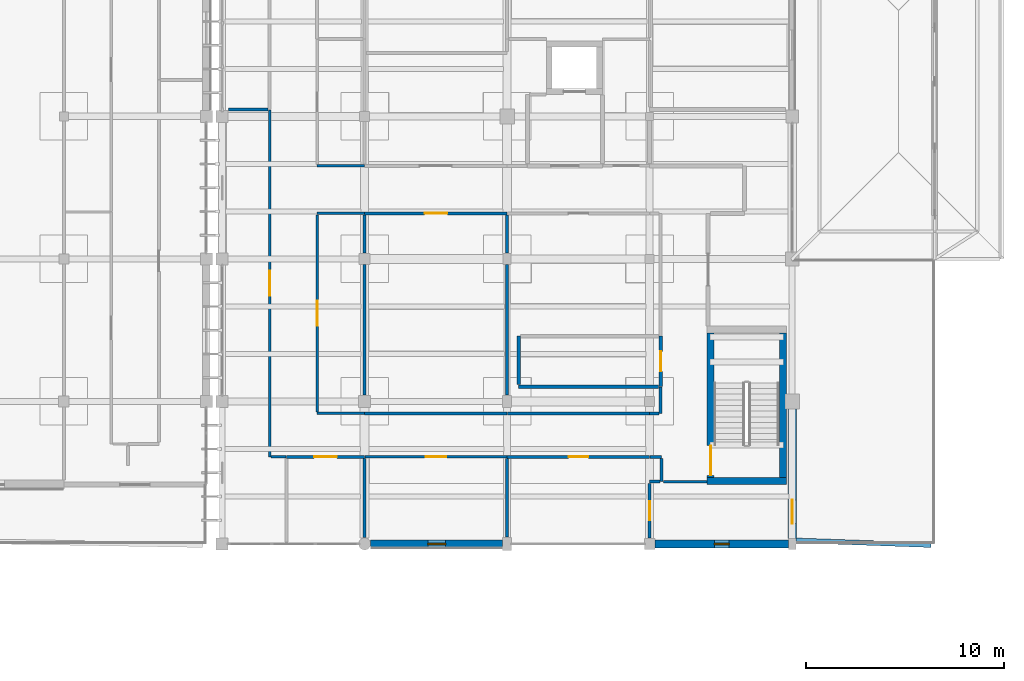
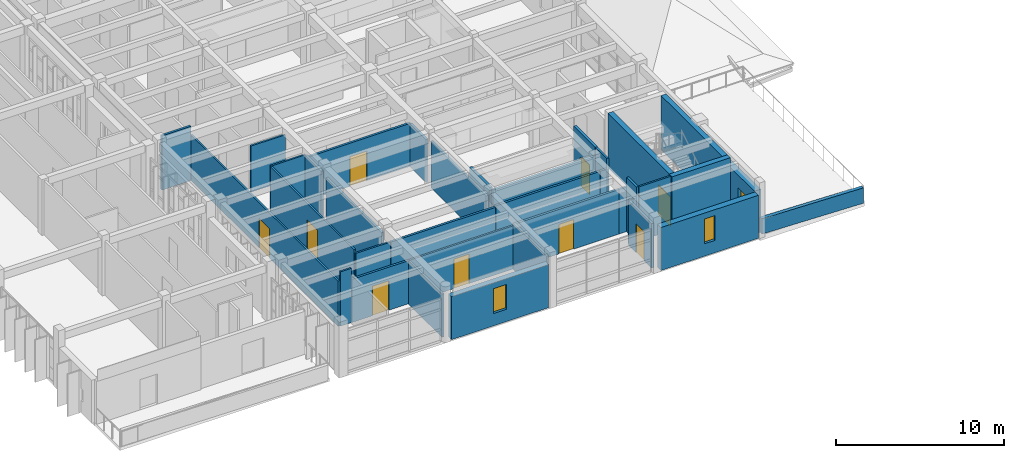
# One storey, part 36 of 55: 36 walls, 10 doors, 2 windows, 12 openings.
"""IFC4 building model written with IfcOpenShell, lengths in metres."""

from ifc_helpers import new_model, si_unit, direction, frame, frame_2d, origin, place, context, subcontext, project, spatial, rectangle, extrude, material, layer, layer_set, type_object, element, fill, save


model = new_model("IFC4")

# Units and contexts
model_context = context("Model", 3, precision=1e-05, world=origin(), true_north=direction((0.0, 1.0)))
body_context = subcontext(model_context, "Body", "Model", "MODEL_VIEW")
ifc_project = project(units=[si_unit("LENGTHUNIT", "METRE"), si_unit("AREAUNIT", "SQUARE_METRE"), si_unit("VOLUMEUNIT", "CUBIC_METRE"), si_unit("PLANEANGLEUNIT", "RADIAN"), si_unit("MASSUNIT", "GRAM", prefix="KILO")], contexts=[model_context])

# Site, building, storey
site_placement = place(None, origin())
site = spatial("IfcSite", under=ifc_project, at=site_placement, CompositionType="ELEMENT")
building_placement = place(site_placement, origin())
building = spatial("IfcBuilding", under=site, at=building_placement, Name="Steenspoor Specialist Clinic", CompositionType="ELEMENT")
storey_placement = place(building_placement, frame((0.0, 0.0, 13.199951171875)))
storey = spatial("IfcBuildingStorey", under=building, at=storey_placement, Name="L03", CompositionType="ELEMENT", Elevation=13.199951171875)

# Wall, opening, window
ifc_material_1 = material(Name="Extruded clay brick masonry", Category="masonry")
ifc_layer_1 = layer(ifc_material_1, 0.3798828125)
ifc_layer_set_1 = layer_set([ifc_layer_1], Name="Extruded clay brick masonry")
wall_type_1 = type_object("IfcWallType", Name="W-BRICK-380", PredefinedType="USERDEFINED", material=ifc_layer_set_1)
wall_1_placement = place(storey_placement, frame((132.175048828125, 65.14990234375, 0.0), z_axis=(0.0, 0.0, 1.0), x_axis=(-1.0, 0.0, 0.0)))
wall_1 = element("IfcWall", 1, at=wall_1_placement, inside=storey, type_object=wall_type_1, Name="Exterior Brick Wall EW-V6-L03-0339", ObjectType="CAVITY VENEER", PredefinedType="USERDEFINED", context=body_context, shape_type="SweptSolid", body=[
    extrude(rectangle(XDim=6.675048828125, YDim=0.3798828125, at=frame_2d((3.33740234375, 0.0))), origin(), (0.0, 0.0, 1.0), 3.130126953125),
])
opening_1_placement = place(wall_1_placement, frame((2.887451171875, 0.0, 0.89990234375)))
opening_1 = element("IfcOpeningElement", 2, at=opening_1_placement, cuts=wall_1, Name="Opening WN-03", PredefinedType="OPENING", context=body_context, shape_type="SweptSolid", body=[
    extrude(rectangle(XDim=0.89990234375, YDim=1.800048828125, at=frame_2d((0.449951171875, 0.89990234375))), frame((0.0, 0.199951171875, 0.0), z_axis=(0.0, -1.0, 0.0), x_axis=(1.0, 0.0, 0.0)), (0.0, 0.0, 1.0), 0.39990234375),
])
ifc_material_2 = material(Name="Thermally broken aluminium and low-emissivity glass", Category="aluminium")
window_type_1 = type_object("IfcWindowType", Name="WN-EXT-090X180", PartitioningType="SINGLE_PANEL", PredefinedType="WINDOW", material=ifc_material_2)
window_1_placement = place(opening_1_placement, origin())
window_1 = element("IfcWindow", 3, at=window_1_placement, inside=storey, type_object=window_type_1, Name="Window 0360", OverallHeight=1.800048828125, OverallWidth=0.89990234375, PartitioningType="SINGLE_PANEL", PredefinedType="WINDOW", context=body_context, shape_type="SweptSolid", body=[
    extrude(rectangle(XDim=0.89990234375, YDim=1.800048828125, at=frame_2d((0.449951171875, 0.89990234375))), frame((0.0, 0.030029296875, 0.0), z_axis=(0.0, -1.0, 0.0), x_axis=(1.0, 0.0, 0.0)), (0.0, 0.0, 1.0), 0.06005859375),
])
fill(opening_1, window_1)

ifc_layer_2 = layer(ifc_material_1, 0.409912109375)
ifc_layer_set_2 = layer_set([ifc_layer_2], Name="Extruded clay brick masonry")
wall_type_2 = type_object("IfcWallType", Name="W-BRICK-410", PredefinedType="USERDEFINED", material=ifc_layer_set_2)
wall_2_placement = place(storey_placement, frame((146.60009765625, 65.14990234375, 0.0), z_axis=(0.0, 0.0, 1.0), x_axis=(-1.0, 0.0, 0.0)))
wall_2 = element("IfcWall", 4, at=wall_2_placement, inside=storey, type_object=wall_type_2, Name="Exterior Brick Wall EW-V6-L03-0338", ObjectType="CAVITY VENEER", PredefinedType="USERDEFINED", context=body_context, shape_type="SweptSolid", body=[
    extrude(rectangle(XDim=6.72509765625, YDim=0.409912109375, at=frame_2d((3.362548828125, 0.0))), origin(), (0.0, 0.0, 1.0), 3.130126953125),
])
opening_2_placement = place(wall_2_placement, frame((2.987548828125, 0.0, 0.89990234375)))
opening_2 = element("IfcOpeningElement", 5, at=opening_2_placement, cuts=wall_2, Name="Opening WN-02", PredefinedType="OPENING", context=body_context, shape_type="SweptSolid", body=[
    extrude(rectangle(XDim=0.75, YDim=1.800048828125, at=frame_2d((0.375, 0.89990234375))), frame((0.0, 0.21484375, 0.0), z_axis=(0.0, -1.0, 0.0), x_axis=(1.0, 0.0, 0.0)), (0.0, 0.0, 1.0), 0.429931640625),
])
window_type_2 = type_object("IfcWindowType", Name="WN-EXT-075X180", PartitioningType="SINGLE_PANEL", PredefinedType="WINDOW", material=ifc_material_2)
window_2_placement = place(opening_2_placement, origin())
window_2 = element("IfcWindow", 6, at=window_2_placement, inside=storey, type_object=window_type_2, Name="Window 0359", OverallHeight=1.800048828125, OverallWidth=0.75, PartitioningType="SINGLE_PANEL", PredefinedType="WINDOW", context=body_context, shape_type="SweptSolid", body=[
    extrude(rectangle(XDim=0.75, YDim=1.800048828125, at=frame_2d((0.375, 0.89990234375))), frame((0.0, 0.030029296875, 0.0), z_axis=(0.0, -1.0, 0.0), x_axis=(1.0, 0.0, 0.0)), (0.0, 0.0, 1.0), 0.06005859375),
])
fill(opening_2, window_2)

# Wall, opening, door
ifc_layer_3 = layer(ifc_material_1, 0.43994140625)
ifc_layer_set_3 = layer_set([ifc_layer_3], Name="Extruded clay brick masonry")
wall_type_3 = type_object("IfcWallType", Name="W-BRICK-440", PredefinedType="USERDEFINED", material=ifc_layer_set_3)
wall_3_placement = place(storey_placement, frame((146.800048828125, 71.97509765625, 0.0), z_axis=(0.0, 0.0, 1.0), x_axis=(0.0, -1.0, 0.0)))
wall_3 = element("IfcWall", 7, at=wall_3_placement, inside=storey, type_object=wall_type_3, Name="Exterior Brick Wall EW-V6-L03-0349", ObjectType="CAVITY VENEER", PredefinedType="USERDEFINED", context=body_context, shape_type="SweptSolid", body=[
    extrude(rectangle(XDim=6.550048828125, YDim=0.43994140625, at=frame_2d((3.27490234375, 0.0))), origin(), (0.0, 0.0, 1.0), 3.130126953125),
])
opening_3_placement = place(wall_3_placement, frame((4.60107421875, 0.0, 0.0)))
opening_3 = element("IfcOpeningElement", 8, at=opening_3_placement, cuts=wall_3, Name="Opening ED42", PredefinedType="OPENING", context=body_context, shape_type="SweptSolid", body=[
    extrude(rectangle(XDim=1.199951171875, YDim=2.199951171875, at=frame_2d((0.60009765625, 1.10009765625))), frame((0.0, 0.22998046875, 0.0), z_axis=(0.0, -1.0, 0.0), x_axis=(1.0, 0.0, 0.0)), (0.0, 0.0, 1.0), 0.4599609375),
])
ifc_material_3 = material(Name="Anodised aluminium and safety glass", Category="aluminium")
door_type_1 = type_object("IfcDoorType", Name="DT-TERR-120X220", OperationType="NOTDEFINED", PredefinedType="DOOR", material=ifc_material_3)
door_1_placement = place(opening_3_placement, origin())
door_1 = element("IfcDoor", 9, at=door_1_placement, inside=storey, type_object=door_type_1, Name="Roof Terrace Door ED42", OperationType="SINGLE_SWING_LEFT", OverallHeight=2.199951171875, OverallWidth=1.199951171875, PredefinedType="DOOR", context=body_context, shape_type="SweptSolid", body=[
    extrude(rectangle(XDim=1.199951171875, YDim=2.199951171875, at=frame_2d((0.60009765625, 1.10009765625))), frame((0.0, 0.02490234375, 0.0), z_axis=(0.0, -1.0, 0.0), x_axis=(1.0, 0.0, 0.0)), (0.0, 0.0, 1.0), 0.050048828125),
])
fill(opening_3, door_1)

ifc_material_4 = material(Name="Gypsum acoustic clinical partition", Category="gypsum")
ifc_layer_4 = layer(ifc_material_4, 0.14990234375)
ifc_layer_set_4 = layer_set([ifc_layer_4], Name="Gypsum acoustic clinical partition")
wall_type_4 = type_object("IfcWallType", Name="W-CLIN-150", PredefinedType="PARTITIONING", material=ifc_layer_set_4)
wall_4_placement = place(storey_placement, frame((121.25, 69.550048828125, 0.0), z_axis=(0.0, 0.0, 1.0), x_axis=(1.0, 0.0, 0.0)))
wall_4 = element("IfcWall", 10, at=wall_4_placement, inside=storey, type_object=wall_type_4, Name="Interior Partition IW-V6-L03-1609", PredefinedType="PARTITIONING", context=body_context, shape_type="SweptSolid", body=[
    extrude(rectangle(XDim=3.949951171875, YDim=0.14990234375, at=frame_2d((1.97509765625, 0.0))), origin(), (0.0, 0.0, 1.0), 3.135009765625),
])
opening_4_placement = place(wall_4_placement, frame((1.39990234375, 0.0, 0.0)))
opening_4 = element("IfcOpeningElement", 11, at=opening_4_placement, cuts=wall_4, Name="Opening D0483", PredefinedType="OPENING", context=body_context, shape_type="SweptSolid", body=[
    extrude(rectangle(XDim=1.14990234375, YDim=2.14990234375, at=frame_2d((0.574951171875, 1.074951171875))), frame((0.0, 0.0849609375, 0.0), z_axis=(0.0, -1.0, 0.0), x_axis=(1.0, 0.0, 0.0)), (0.0, 0.0, 1.0), 0.169921875),
])
ifc_material_5 = material(Name="Solid-core hardwood clinical door", Category="wood")
door_type_2 = type_object("IfcDoorType", Name="DT-CONS-115X215", OperationType="NOTDEFINED", PredefinedType="DOOR", material=ifc_material_5)
door_2_placement = place(opening_4_placement, origin())
door_2 = element("IfcDoor", 12, at=door_2_placement, inside=storey, type_object=door_type_2, Name="Clinical Door D0483", OperationType="SINGLE_SWING_RIGHT", OverallHeight=2.14990234375, OverallWidth=1.14990234375, PredefinedType="DOOR", context=body_context, shape_type="SweptSolid", body=[
    extrude(rectangle(XDim=1.14990234375, YDim=2.14990234375, at=frame_2d((0.574951171875, 1.074951171875))), frame((0.0, 0.02490234375, 0.0), z_axis=(0.0, -1.0, 0.0), x_axis=(1.0, 0.0, 0.0)), (0.0, 0.0, 1.0), 0.050048828125),
])
fill(opening_4, door_2)

wall_5_placement = place(storey_placement, frame((132.39990234375, 69.550048828125, 0.0), z_axis=(0.0, 0.0, 1.0), x_axis=(1.0, 0.0, 0.0)))
wall_5 = element("IfcWall", 13, at=wall_5_placement, inside=storey, type_object=wall_type_4, Name="Interior Partition IW-V6-L03-1610", PredefinedType="PARTITIONING", context=body_context, shape_type="SweptSolid", body=[
    extrude(rectangle(XDim=7.2001953125, YDim=0.14990234375, at=frame_2d((3.60009765625, 0.0))), origin(), (0.0, 0.0, 1.0), 3.235107421875),
])
opening_5_placement = place(wall_5_placement, frame((3.10009765625, 0.0, 0.0)))
opening_5 = element("IfcOpeningElement", 14, at=opening_5_placement, cuts=wall_5, Name="Opening D0485", PredefinedType="OPENING", context=body_context, shape_type="SweptSolid", body=[
    extrude(rectangle(XDim=1.0, YDim=2.14990234375, at=frame_2d((0.5, 1.074951171875))), frame((0.0, 0.0849609375, 0.0), z_axis=(0.0, -1.0, 0.0), x_axis=(1.0, 0.0, 0.0)), (0.0, 0.0, 1.0), 0.169921875),
])
ifc_material_6 = material(Name="Moisture-resistant HPL accessible WC door", Category="wood")
door_type_3 = type_object("IfcDoorType", Name="DT-AWC-100X215", OperationType="NOTDEFINED", PredefinedType="DOOR", material=ifc_material_6)
door_3_placement = place(opening_5_placement, origin())
door_3 = element("IfcDoor", 15, at=door_3_placement, inside=storey, type_object=door_type_3, Name="Clinical Door D0485", OperationType="SINGLE_SWING_RIGHT", OverallHeight=2.14990234375, OverallWidth=1.0, PredefinedType="DOOR", context=body_context, shape_type="SweptSolid", body=[
    extrude(rectangle(XDim=1.0, YDim=2.14990234375, at=frame_2d((0.5, 1.074951171875))), frame((0.0, 0.02490234375, 0.0), z_axis=(0.0, -1.0, 0.0), x_axis=(1.0, 0.0, 0.0)), (0.0, 0.0, 1.0), 0.050048828125),
])
fill(opening_5, door_3)

# Walls
wall_6_placement = place(storey_placement, frame((139.614990234375, 69.550048828125, 0.0), z_axis=(0.0, 0.0, 1.0), x_axis=(1.0, 0.0, 0.0)))
element("IfcWall", 16, at=wall_6_placement, inside=storey, type_object=wall_type_4, Name="Interior Partition IW-V6-L03-1611", PredefinedType="PARTITIONING", context=body_context, shape_type="SweptSolid", body=[
    extrude(rectangle(XDim=0.5849609375, YDim=0.14990234375, at=frame_2d((0.29248046875, 0.0))), origin(), (0.0, 0.0, 1.0), 3.235107421875),
])
wall_7_placement = place(storey_placement, frame((140.199951171875, 68.300048828125, 0.0), z_axis=(0.0, 0.0, 1.0), x_axis=(0.0, 1.0, 0.0)))
element("IfcWall", 17, at=wall_7_placement, inside=storey, type_object=wall_type_4, Name="Interior Partition IW-V6-L03-1612", PredefinedType="PARTITIONING", context=body_context, shape_type="SweptSolid", body=[
    extrude(rectangle(XDim=1.159912109375, YDim=0.14990234375, at=frame_2d((0.580078125, 0.0))), origin(), (0.0, 0.0, 1.0), 3.949951171875),
])
wall_8_placement = place(storey_placement, frame((139.60009765625, 68.300048828125, 0.0), z_axis=(0.0, 0.0, 1.0), x_axis=(1.0, 0.0, 0.0)))
element("IfcWall", 18, at=wall_8_placement, inside=storey, type_object=wall_type_4, Name="Interior Partition IW-V6-L03-1613", PredefinedType="PARTITIONING", context=body_context, shape_type="SweptSolid", body=[
    extrude(rectangle(XDim=0.510009765625, YDim=0.14990234375, at=frame_2d((0.2548828125, 0.0))), origin(), (0.0, 0.0, 1.0), 3.235107421875),
])

# Wall, opening, door
wall_9_placement = place(storey_placement, frame((125.199951171875, 81.85009765625, 0.0), z_axis=(0.0, 0.0, 1.0), x_axis=(1.0, 0.0, 0.0)))
wall_9 = element("IfcWall", 19, at=wall_9_placement, inside=storey, type_object=wall_type_4, Name="Interior Partition IW-V6-L03-1614", PredefinedType="PARTITIONING", context=body_context, shape_type="SweptSolid", body=[
    extrude(rectangle(XDim=7.199951171875, YDim=0.14990234375, at=frame_2d((3.60009765625, 0.0))), origin(), (0.0, 0.0, 1.0), 3.135009765625),
])
opening_6_placement = place(wall_9_placement, frame((3.02490234375, 0.0, 0.0)))
opening_6 = element("IfcOpeningElement", 20, at=opening_6_placement, cuts=wall_9, Name="Opening D0489", PredefinedType="OPENING", context=body_context, shape_type="SweptSolid", body=[
    extrude(rectangle(XDim=1.14990234375, YDim=2.14990234375, at=frame_2d((0.574951171875, 1.074951171875))), frame((0.0, 0.0849609375, 0.0), z_axis=(0.0, -1.0, 0.0), x_axis=(1.0, 0.0, 0.0)), (0.0, 0.0, 1.0), 0.169921875),
])
door_4_placement = place(opening_6_placement, origin())
door_4 = element("IfcDoor", 21, at=door_4_placement, inside=storey, type_object=door_type_2, Name="Clinical Door D0489", OperationType="SINGLE_SWING_RIGHT", OverallHeight=2.14990234375, OverallWidth=1.14990234375, PredefinedType="DOOR", context=body_context, shape_type="SweptSolid", body=[
    extrude(rectangle(XDim=1.14990234375, YDim=2.14990234375, at=frame_2d((0.574951171875, 1.074951171875))), frame((0.0, 0.02490234375, 0.0), z_axis=(0.0, -1.0, 0.0), x_axis=(1.0, 0.0, 0.0)), (0.0, 0.0, 1.0), 0.050048828125),
])
fill(opening_6, door_4)

# Walls
wall_10_placement = place(storey_placement, frame((125.199951171875, 71.75, 0.0), z_axis=(0.0, 0.0, 1.0), x_axis=(1.0, 0.0, 0.0)))
element("IfcWall", 22, at=wall_10_placement, inside=storey, type_object=wall_type_4, Name="Interior Partition IW-V6-L03-1615", PredefinedType="PARTITIONING", context=body_context, shape_type="SweptSolid", body=[
    extrude(rectangle(XDim=7.199951171875, YDim=0.14990234375, at=frame_2d((3.60009765625, 0.0))), origin(), (0.0, 0.0, 1.0), 3.135009765625),
])
wall_11_placement = place(storey_placement, frame((140.14990234375, 71.75, 0.0), z_axis=(0.0, 0.0, 1.0), x_axis=(0.0, 1.0, 0.0)))
element("IfcWall", 23, at=wall_11_placement, inside=storey, type_object=wall_type_4, Name="Interior Partition IW-V6-L03-1617", PredefinedType="PARTITIONING", context=body_context, shape_type="SweptSolid", body=[
    extrude(rectangle(XDim=1.3349609375, YDim=0.14990234375, at=frame_2d((0.66748046875, 0.0))), origin(), (0.0, 0.0, 1.0), 3.949951171875),
])
wall_12_placement = place(storey_placement, frame((139.60009765625, 71.75, 0.0), z_axis=(0.0, 0.0, 1.0), x_axis=(1.0, 0.0, 0.0)))
element("IfcWall", 24, at=wall_12_placement, inside=storey, type_object=wall_type_4, Name="Interior Partition IW-V6-L03-1618", PredefinedType="PARTITIONING", context=body_context, shape_type="SweptSolid", body=[
    extrude(rectangle(XDim=0.4599609375, YDim=0.14990234375, at=frame_2d((0.22998046875, 0.0))), origin(), (0.0, 0.0, 1.0), 3.235107421875),
])
wall_13_placement = place(storey_placement, frame((132.4150390625, 71.75, 0.0), z_axis=(0.0, 0.0, 1.0), x_axis=(1.0, 0.0, 0.0)))
element("IfcWall", 25, at=wall_13_placement, inside=storey, type_object=wall_type_4, Name="Interior Partition IW-V6-L03-1619", PredefinedType="PARTITIONING", context=body_context, shape_type="SweptSolid", body=[
    extrude(rectangle(XDim=7.169921875, YDim=0.14990234375, at=frame_2d((3.5849609375, 0.0))), origin(), (0.0, 0.0, 1.0), 3.235107421875),
])
wall_14_placement = place(storey_placement, frame((118.31494140625, 87.10009765625, 0.0), z_axis=(0.0, 0.0, 1.0), x_axis=(1.0, 0.0, 0.0)))
element("IfcWall", 26, at=wall_14_placement, inside=storey, type_object=wall_type_4, Name="Interior Partition IW-V6-L03-1755", PredefinedType="PARTITIONING", context=body_context, shape_type="SweptSolid", body=[
    extrude(rectangle(XDim=1.9951171875, YDim=0.14990234375, at=frame_2d((0.99755859375, 0.0))), origin(), (0.0, 0.0, 1.0), 3.949951171875),
])
wall_15_placement = place(storey_placement, frame((125.199951171875, 65.465087890625, 0.0), z_axis=(0.0, 0.0, 1.0), x_axis=(0.0, 1.0, 0.0)))
element("IfcWall", 27, at=wall_15_placement, inside=storey, type_object=wall_type_4, Name="Interior Partition IW-V6-L03-1756", PredefinedType="PARTITIONING", context=body_context, shape_type="SweptSolid", body=[
    extrude(rectangle(XDim=3.994873046875, YDim=0.14990234375, at=frame_2d((1.99755859375, 0.0))), origin(), (0.0, 0.0, 1.0), 3.135009765625),
])
wall_16_placement = place(storey_placement, frame((132.39990234375, 65.489990234375, 0.0), z_axis=(0.0, 0.0, 1.0), x_axis=(0.0, 1.0, 0.0)))
element("IfcWall", 28, at=wall_16_placement, inside=storey, type_object=wall_type_4, Name="Interior Partition IW-V6-L03-1757", PredefinedType="PARTITIONING", context=body_context, shape_type="SweptSolid", body=[
    extrude(rectangle(XDim=3.969970703125, YDim=0.14990234375, at=frame_2d((1.98486328125, 0.0))), origin(), (0.0, 0.0, 1.0), 3.35498046875),
])

# Wall, opening, door
wall_17_placement = place(storey_placement, frame((139.60009765625, 65.43994140625, 0.0), z_axis=(0.0, 0.0, 1.0), x_axis=(0.0, 1.0, 0.0)))
wall_17 = element("IfcWall", 29, at=wall_17_placement, inside=storey, type_object=wall_type_4, Name="Interior Partition IW-V6-L03-1758", PredefinedType="PARTITIONING", context=body_context, shape_type="SweptSolid", body=[
    extrude(rectangle(XDim=2.77001953125, YDim=0.14990234375, at=frame_2d((1.385009765625, 0.0))), origin(), (0.0, 0.0, 1.0), 3.235107421875),
])
opening_7_placement = place(wall_17_placement, frame((0.909912109375, 0.0, 0.0)))
opening_7 = element("IfcOpeningElement", 30, at=opening_7_placement, cuts=wall_17, Name="Opening D0486", PredefinedType="OPENING", context=body_context, shape_type="SweptSolid", body=[
    extrude(rectangle(XDim=0.949951171875, YDim=2.10009765625, at=frame_2d((0.47509765625, 1.050048828125))), frame((0.0, 0.0849609375, 0.0), z_axis=(0.0, -1.0, 0.0), x_axis=(1.0, 0.0, 0.0)), (0.0, 0.0, 1.0), 0.169921875),
])
ifc_material_7 = material(Name="Moisture-resistant HPL sanitary door", Category="wood")
door_type_4 = type_object("IfcDoorType", Name="DT-WC-095X210", OperationType="NOTDEFINED", PredefinedType="DOOR", material=ifc_material_7)
door_5_placement = place(opening_7_placement, origin())
door_5 = element("IfcDoor", 31, at=door_5_placement, inside=storey, type_object=door_type_4, Name="Clinical Door D0486", OperationType="SINGLE_SWING_LEFT", OverallHeight=2.10009765625, OverallWidth=0.949951171875, PredefinedType="DOOR", context=body_context, shape_type="SweptSolid", body=[
    extrude(rectangle(XDim=0.949951171875, YDim=2.10009765625, at=frame_2d((0.47509765625, 1.050048828125))), frame((0.0, 0.02490234375, 0.0), z_axis=(0.0, -1.0, 0.0), x_axis=(1.0, 0.0, 0.0)), (0.0, 0.0, 1.0), 0.050048828125),
])
fill(opening_7, door_5)

# Walls
wall_18_placement = place(storey_placement, frame((125.199951171875, 72.6650390625, 0.0), z_axis=(0.0, 0.0, 1.0), x_axis=(0.0, 1.0, 0.0)))
element("IfcWall", 32, at=wall_18_placement, inside=storey, type_object=wall_type_4, Name="Interior Partition IW-V6-L03-1759", PredefinedType="PARTITIONING", context=body_context, shape_type="SweptSolid", body=[
    extrude(rectangle(XDim=6.594970703125, YDim=0.14990234375, at=frame_2d((3.29736328125, 0.0))), origin(), (0.0, 0.0, 1.0), 3.235107421875),
])
wall_19_placement = place(storey_placement, frame((125.199951171875, 79.840087890625, 0.0), z_axis=(0.0, 0.0, 1.0), x_axis=(0.0, 1.0, 0.0)))
element("IfcWall", 33, at=wall_19_placement, inside=storey, type_object=wall_type_4, Name="Interior Partition IW-V6-L03-1760", PredefinedType="PARTITIONING", context=body_context, shape_type="SweptSolid", body=[
    extrude(rectangle(XDim=1.919921875, YDim=0.14990234375, at=frame_2d((0.9599609375, 0.0))), origin(), (0.0, 0.0, 1.0), 3.35498046875),
])
wall_20_placement = place(storey_placement, frame((132.39990234375, 72.6650390625, 0.0), z_axis=(0.0, 0.0, 1.0), x_axis=(0.0, 1.0, 0.0)))
element("IfcWall", 34, at=wall_20_placement, inside=storey, type_object=wall_type_4, Name="Interior Partition IW-V6-L03-1761", PredefinedType="PARTITIONING", context=body_context, shape_type="SweptSolid", body=[
    extrude(rectangle(XDim=6.594970703125, YDim=0.14990234375, at=frame_2d((3.29736328125, 0.0))), origin(), (0.0, 0.0, 1.0), 3.385009765625),
])
wall_21_placement = place(storey_placement, frame((132.39990234375, 79.840087890625, 0.0), z_axis=(0.0, 0.0, 1.0), x_axis=(0.0, 1.0, 0.0)))
element("IfcWall", 35, at=wall_21_placement, inside=storey, type_object=wall_type_4, Name="Interior Partition IW-V6-L03-1762", PredefinedType="PARTITIONING", context=body_context, shape_type="SweptSolid", body=[
    extrude(rectangle(XDim=1.919921875, YDim=0.14990234375, at=frame_2d((0.9599609375, 0.0))), origin(), (0.0, 0.0, 1.0), 3.135009765625),
])
ifc_layer_5 = layer(ifc_material_1, 0.239990234375)
ifc_layer_set_5 = layer_set([ifc_layer_5], Name="Extruded clay brick masonry")
wall_type_5 = type_object("IfcWallType", Name="W-PARAPET-240", PredefinedType="PARAPET", material=ifc_layer_set_5)
wall_22_placement = place(storey_placement, frame((146.97998046875, 65.330078125, 0.0), z_axis=(0.0, 0.0, 1.0), x_axis=(0.999385059583, -0.035064265038, 0.0)))
element("IfcWall", 36, at=wall_22_placement, inside=storey, type_object=wall_type_5, Name="Terrace Brick Parapet V6 L03 1", PredefinedType="PARAPET", context=body_context, shape_type="SweptSolid", body=[
    extrude(rectangle(XDim=6.84423828125, YDim=0.239990234375, at=frame_2d((3.422119140625, 0.0))), origin(), (0.0, 0.0, 1.0), 1.1201171875),
])

# Wall, opening, door
ifc_material_8 = material(Name="Gypsum studio partition board", Category="gypsum")
ifc_layer_6 = layer(ifc_material_8, 0.1201171875)
ifc_layer_set_6 = layer_set([ifc_layer_6], Name="Gypsum studio partition board")
wall_type_6 = type_object("IfcWallType", Name="W-PART-120", PredefinedType="PARTITIONING", material=ifc_layer_set_6)
wall_23_placement = place(storey_placement, frame((120.39990234375, 69.550048828125, 0.0), z_axis=(0.0, 0.0, 1.0), x_axis=(0.0, 1.0, 0.0)))
wall_23 = element("IfcWall", 37, at=wall_23_placement, inside=storey, type_object=wall_type_6, Name="Interior Partition IW-V6-L03-1680", PredefinedType="PARTITIONING", context=body_context, shape_type="SweptSolid", body=[
    extrude(rectangle(XDim=17.534912109375, YDim=0.1201171875, at=frame_2d((8.767578125, 0.0))), origin(), (0.0, 0.0, 1.0), 3.28515625),
])
opening_8_placement = place(wall_23_placement, frame((8.142578125, 0.0, 0.0)))
opening_8 = element("IfcOpeningElement", 38, at=opening_8_placement, cuts=wall_23, Name="Opening D0482", PredefinedType="OPENING", context=body_context, shape_type="SweptSolid", body=[
    extrude(rectangle(XDim=1.25, YDim=2.14990234375, at=frame_2d((0.625, 1.074951171875))), frame((0.0, 0.070068359375, 0.0), z_axis=(0.0, -1.0, 0.0), x_axis=(1.0, 0.0, 0.0)), (0.0, 0.0, 1.0), 0.14013671875),
])
ifc_material_9 = material(Name="Hygienic HPL clinical timber door", Category="wood")
door_type_5 = type_object("IfcDoorType", Name="DT-EXAM-125X215", OperationType="NOTDEFINED", PredefinedType="DOOR", material=ifc_material_9)
door_6_placement = place(opening_8_placement, origin())
door_6 = element("IfcDoor", 39, at=door_6_placement, inside=storey, type_object=door_type_5, Name="Clinical Door D0482", OperationType="SINGLE_SWING_LEFT", OverallHeight=2.14990234375, OverallWidth=1.25, PredefinedType="DOOR", context=body_context, shape_type="SweptSolid", body=[
    extrude(rectangle(XDim=1.25, YDim=2.14990234375, at=frame_2d((0.625, 1.074951171875))), frame((0.0, 0.02490234375, 0.0), z_axis=(0.0, -1.0, 0.0), x_axis=(1.0, 0.0, 0.0)), (0.0, 0.0, 1.0), 0.050048828125),
])
fill(opening_8, door_6)

# Wall
wall_24_placement = place(storey_placement, frame((120.47509765625, 69.550048828125, 0.0), z_axis=(0.0, 0.0, 1.0), x_axis=(1.0, 0.0, 0.0)))
element("IfcWall", 40, at=wall_24_placement, inside=storey, type_object=wall_type_6, Name="Interior Partition IW-V6-L03-1681", PredefinedType="PARTITIONING", context=body_context, shape_type="SweptSolid", body=[
    extrude(rectangle(XDim=0.760009765625, YDim=0.1201171875, at=frame_2d((0.3798828125, 0.0))), origin(), (0.0, 0.0, 1.0), 3.949951171875),
])

# Wall, opening, door
wall_25_placement = place(storey_placement, frame((125.215087890625, 69.550048828125, 0.0), z_axis=(0.0, 0.0, 1.0), x_axis=(1.0, 0.0, 0.0)))
wall_25 = element("IfcWall", 41, at=wall_25_placement, inside=storey, type_object=wall_type_6, Name="Interior Partition IW-V6-L03-1682", PredefinedType="PARTITIONING", context=body_context, shape_type="SweptSolid", body=[
    extrude(rectangle(XDim=7.169921875, YDim=0.1201171875, at=frame_2d((3.5849609375, 0.0))), origin(), (0.0, 0.0, 1.0), 3.135009765625),
])
opening_9_placement = place(wall_25_placement, frame((3.06005859375, 0.0, 0.0)))
opening_9 = element("IfcOpeningElement", 42, at=opening_9_placement, cuts=wall_25, Name="Opening D0484", PredefinedType="OPENING", context=body_context, shape_type="SweptSolid", body=[
    extrude(rectangle(XDim=1.050048828125, YDim=2.14990234375, at=frame_2d((0.52490234375, 1.074951171875))), frame((0.0, 0.070068359375, 0.0), z_axis=(0.0, -1.0, 0.0), x_axis=(1.0, 0.0, 0.0)), (0.0, 0.0, 1.0), 0.14013671875),
])
ifc_material_10 = material(Name="Solid-core hardwood office door", Category="wood")
door_type_6 = type_object("IfcDoorType", Name="DT-OFF-105X215", OperationType="NOTDEFINED", PredefinedType="DOOR", material=ifc_material_10)
door_7_placement = place(opening_9_placement, origin())
door_7 = element("IfcDoor", 43, at=door_7_placement, inside=storey, type_object=door_type_6, Name="Clinical Door D0484", OperationType="SINGLE_SWING_LEFT", OverallHeight=2.14990234375, OverallWidth=1.050048828125, PredefinedType="DOOR", context=body_context, shape_type="SweptSolid", body=[
    extrude(rectangle(XDim=1.050048828125, YDim=2.14990234375, at=frame_2d((0.52490234375, 1.074951171875))), frame((0.0, 0.02490234375, 0.0), z_axis=(0.0, -1.0, 0.0), x_axis=(1.0, 0.0, 0.0)), (0.0, 0.0, 1.0), 0.050048828125),
])
fill(opening_9, door_7)

# Walls
wall_26_placement = place(storey_placement, frame((140.2900390625, 68.300048828125, 0.0), z_axis=(0.0, 0.0, 1.0), x_axis=(1.0, 0.0, 0.0)))
element("IfcWall", 44, at=wall_26_placement, inside=storey, type_object=wall_type_6, Name="Interior Partition IW-V6-L03-1683", PredefinedType="PARTITIONING", context=body_context, shape_type="SweptSolid", body=[
    extrude(rectangle(XDim=2.195068359375, YDim=0.1201171875, at=frame_2d((1.09765625, 0.0))), origin(), (0.0, 0.0, 1.0), 3.949951171875),
])
wall_27_placement = place(storey_placement, frame((122.800048828125, 81.85009765625, 0.0), z_axis=(0.0, 0.0, 1.0), x_axis=(1.0, 0.0, 0.0)))
element("IfcWall", 45, at=wall_27_placement, inside=storey, type_object=wall_type_6, Name="Interior Partition IW-V6-L03-1684", PredefinedType="PARTITIONING", context=body_context, shape_type="SweptSolid", body=[
    extrude(rectangle(XDim=2.385009765625, YDim=0.1201171875, at=frame_2d((1.1923828125, 0.0))), origin(), (0.0, 0.0, 1.0), 3.35498046875),
])
wall_28_placement = place(storey_placement, frame((122.800048828125, 71.75, 0.0), z_axis=(0.0, 0.0, 1.0), x_axis=(1.0, 0.0, 0.0)))
element("IfcWall", 46, at=wall_28_placement, inside=storey, type_object=wall_type_6, Name="Interior Partition IW-V6-L03-1685", PredefinedType="PARTITIONING", context=body_context, shape_type="SweptSolid", body=[
    extrude(rectangle(XDim=2.385009765625, YDim=0.1201171875, at=frame_2d((1.1923828125, 0.0))), origin(), (0.0, 0.0, 1.0), 3.135009765625),
])

# Wall, opening, door
wall_29_placement = place(storey_placement, frame((122.800048828125, 71.824951171875, 0.0), z_axis=(0.0, 0.0, 1.0), x_axis=(0.0, 1.0, 0.0)))
wall_29 = element("IfcWall", 47, at=wall_29_placement, inside=storey, type_object=wall_type_6, Name="Interior Partition IW-V6-L03-1686", PredefinedType="PARTITIONING", context=body_context, shape_type="SweptSolid", body=[
    extrude(rectangle(XDim=9.949951171875, YDim=0.1201171875, at=frame_2d((4.97509765625, 0.0))), origin(), (0.0, 0.0, 1.0), 3.35498046875),
])
opening_10_placement = place(wall_29_placement, frame((4.35009765625, 0.0, 0.0)))
opening_10 = element("IfcOpeningElement", 48, at=opening_10_placement, cuts=wall_29, Name="Opening D0488", PredefinedType="OPENING", context=body_context, shape_type="SweptSolid", body=[
    extrude(rectangle(XDim=1.25, YDim=2.14990234375, at=frame_2d((0.625, 1.074951171875))), frame((0.0, 0.070068359375, 0.0), z_axis=(0.0, -1.0, 0.0), x_axis=(1.0, 0.0, 0.0)), (0.0, 0.0, 1.0), 0.14013671875),
])
door_8_placement = place(opening_10_placement, origin())
door_8 = element("IfcDoor", 49, at=door_8_placement, inside=storey, type_object=door_type_5, Name="Clinical Door D0488", OperationType="SINGLE_SWING_LEFT", OverallHeight=2.14990234375, OverallWidth=1.25, PredefinedType="DOOR", context=body_context, shape_type="SweptSolid", body=[
    extrude(rectangle(XDim=1.25, YDim=2.14990234375, at=frame_2d((0.625, 1.074951171875))), frame((0.0, 0.02490234375, 0.0), z_axis=(0.0, -1.0, 0.0), x_axis=(1.0, 0.0, 0.0)), (0.0, 0.0, 1.0), 0.050048828125),
])
fill(opening_10, door_8)

# Wall
wall_30_placement = place(storey_placement, frame((122.800048828125, 84.25, 0.0), z_axis=(0.0, 0.0, 1.0), x_axis=(1.0, 0.0, 0.0)))
element("IfcWall", 50, at=wall_30_placement, inside=storey, type_object=wall_type_6, Name="Interior Partition IW-V6-L03-1687", PredefinedType="PARTITIONING", context=body_context, shape_type="SweptSolid", body=[
    extrude(rectangle(XDim=2.385009765625, YDim=0.1201171875, at=frame_2d((1.1923828125, 0.0))), origin(), (0.0, 0.0, 1.0), 3.35498046875),
])

# Wall, opening, door
ifc_material_11 = material(Name="Moisture-resistant gypsum plumbing wall", Category="gypsum")
ifc_layer_7 = layer(ifc_material_11, 0.179931640625)
ifc_layer_set_7 = layer_set([ifc_layer_7], Name="Moisture-resistant gypsum plumbing wall")
wall_type_7 = type_object("IfcWallType", Name="W-PLUMB-180", PredefinedType="PLUMBINGWALL", material=ifc_layer_set_7)
wall_31_placement = place(storey_placement, frame((140.14990234375, 73.10009765625, 0.0), z_axis=(0.0, 0.0, 1.0), x_axis=(0.0, 1.0, 0.0)))
wall_31 = element("IfcWall", 51, at=wall_31_placement, inside=storey, type_object=wall_type_7, Name="Interior Partition IW-V6-L03-1522", PredefinedType="PLUMBINGWALL", context=body_context, shape_type="SweptSolid", body=[
    extrude(rectangle(XDim=2.5498046875, YDim=0.179931640625, at=frame_2d((1.27490234375, 0.0))), origin(), (0.0, 0.0, 1.0), 3.949951171875),
])
opening_11_placement = place(wall_31_placement, frame((0.77490234375, 0.0, 0.0)))
opening_11 = element("IfcOpeningElement", 52, at=opening_11_placement, cuts=wall_31, Name="Opening D0490", PredefinedType="OPENING", context=body_context, shape_type="SweptSolid", body=[
    extrude(rectangle(XDim=1.0, YDim=2.14990234375, at=frame_2d((0.5, 1.074951171875))), frame((0.0, 0.10009765625, 0.0), z_axis=(0.0, -1.0, 0.0), x_axis=(1.0, 0.0, 0.0)), (0.0, 0.0, 1.0), 0.199951171875),
])
door_9_placement = place(opening_11_placement, origin())
door_9 = element("IfcDoor", 53, at=door_9_placement, inside=storey, type_object=door_type_3, Name="Clinical Door D0490", OperationType="SINGLE_SWING_LEFT", OverallHeight=2.14990234375, OverallWidth=1.0, PredefinedType="DOOR", context=body_context, shape_type="SweptSolid", body=[
    extrude(rectangle(XDim=1.0, YDim=2.14990234375, at=frame_2d((0.5, 1.074951171875))), frame((0.0, 0.02490234375, 0.0), z_axis=(0.0, -1.0, 0.0), x_axis=(1.0, 0.0, 0.0)), (0.0, 0.0, 1.0), 0.050048828125),
])
fill(opening_11, door_9)

# Walls
wall_32_placement = place(storey_placement, frame((132.97998046875, 73.10009765625, 0.0), z_axis=(0.0, 0.0, 1.0), x_axis=(1.0, 0.0, 0.0)))
element("IfcWall", 54, at=wall_32_placement, inside=storey, type_object=wall_type_7, Name="Interior Partition IW-V6-L03-1538", PredefinedType="PLUMBINGWALL", context=body_context, shape_type="SweptSolid", body=[
    extrude(rectangle(XDim=7.06494140625, YDim=0.179931640625, at=frame_2d((3.532470703125, 0.0))), origin(), (0.0, 0.0, 1.0), 3.35498046875),
])
wall_33_placement = place(storey_placement, frame((132.97998046875, 73.205078125, 0.0), z_axis=(0.0, 0.0, 1.0), x_axis=(0.0, 1.0, 0.0)))
element("IfcWall", 55, at=wall_33_placement, inside=storey, type_object=wall_type_7, Name="Interior Partition IW-V6-L03-1539", PredefinedType="PLUMBINGWALL", context=body_context, shape_type="SweptSolid", body=[
    extrude(rectangle(XDim=2.44482421875, YDim=0.179931640625, at=frame_2d((1.222412109375, 0.0))), origin(), (0.0, 0.0, 1.0), 3.47509765625),
])
ifc_material_12 = material(Name="Concrete C40/50", Category="concrete")
ifc_layer_8 = layer(ifc_material_12, 0.35009765625)
ifc_layer_set_8 = layer_set([ifc_layer_8], Name="Concrete C40/50")
wall_type_8 = type_object("IfcWallType", Name="W-SW-350", PredefinedType="SHEAR", material=ifc_layer_set_8)
wall_34_placement = place(storey_placement, frame((142.5, 68.324951171875, 0.0), z_axis=(0.0, 0.0, 1.0), x_axis=(1.0, 0.0, 0.0)))
element("IfcWall", 56, at=wall_34_placement, inside=storey, type_object=wall_type_8, Name="Core Shear Wall SW-ST-V6B-L03-S", PredefinedType="SHEAR", context=body_context, shape_type="SweptSolid", body=[
    extrude(rectangle(XDim=4.0, YDim=0.35009765625, at=frame_2d((2.0, 0.0))), origin(), (0.0, 0.0, 1.0), 3.949951171875),
])

# Wall, opening, door
wall_35_placement = place(storey_placement, frame((142.675048828125, 68.5, 0.0), z_axis=(0.0, 0.0, 1.0), x_axis=(0.0, 1.0, 0.0)))
wall_35 = element("IfcWall", 57, at=wall_35_placement, inside=storey, type_object=wall_type_8, Name="Core Shear Wall SW-ST-V6B-L03-W", PredefinedType="SHEAR", context=body_context, shape_type="SweptSolid", body=[
    extrude(rectangle(XDim=7.300048828125, YDim=0.35009765625, at=frame_2d((3.64990234375, 0.0))), origin(), (0.0, 0.0, 1.0), 3.949951171875),
])
opening_12_placement = place(wall_35_placement, frame((0.1201171875, 0.0, 0.0)))
opening_12 = element("IfcOpeningElement", 58, at=opening_12_placement, cuts=wall_35, Name="Opening SD043", PredefinedType="OPENING", context=body_context, shape_type="SweptSolid", body=[
    extrude(rectangle(XDim=1.5, YDim=2.14990234375, at=frame_2d((0.75, 1.074951171875))), frame((0.0, 0.18505859375, 0.0), z_axis=(0.0, -1.0, 0.0), x_axis=(1.0, 0.0, 0.0)), (0.0, 0.0, 1.0), 0.3701171875),
])
ifc_material_13 = material(Name="Fire-rated steel acoustic door", Category="steel")
door_type_7 = type_object("IfcDoorType", Name="DT-STAIR-150X215", OperationType="NOTDEFINED", PredefinedType="DOOR", material=ifc_material_13)
door_10_placement = place(opening_12_placement, origin())
door_10 = element("IfcDoor", 59, at=door_10_placement, inside=storey, type_object=door_type_7, Name="Exit Stair Fire Door SD043", OperationType="SINGLE_SWING_RIGHT", OverallHeight=2.14990234375, OverallWidth=1.5, PredefinedType="DOOR", context=body_context, shape_type="SweptSolid", body=[
    extrude(rectangle(XDim=1.5, YDim=2.14990234375, at=frame_2d((0.75, 1.074951171875))), frame((0.0, 0.02490234375, 0.0), z_axis=(0.0, -1.0, 0.0), x_axis=(1.0, 0.0, 0.0)), (0.0, 0.0, 1.0), 0.050048828125),
])
fill(opening_12, door_10)

# Wall
wall_36_placement = place(storey_placement, frame((146.324951171875, 68.5, 0.0), z_axis=(0.0, 0.0, 1.0), x_axis=(0.0, 1.0, 0.0)))
element("IfcWall", 60, at=wall_36_placement, inside=storey, type_object=wall_type_8, Name="Core Shear Wall SW-ST-V6B-L03-E", PredefinedType="SHEAR", context=body_context, shape_type="SweptSolid", body=[
    extrude(rectangle(XDim=7.300048828125, YDim=0.35009765625, at=frame_2d((3.64990234375, 0.0))), origin(), (0.0, 0.0, 1.0), 3.949951171875),
])

save(model, "model.ifc")
